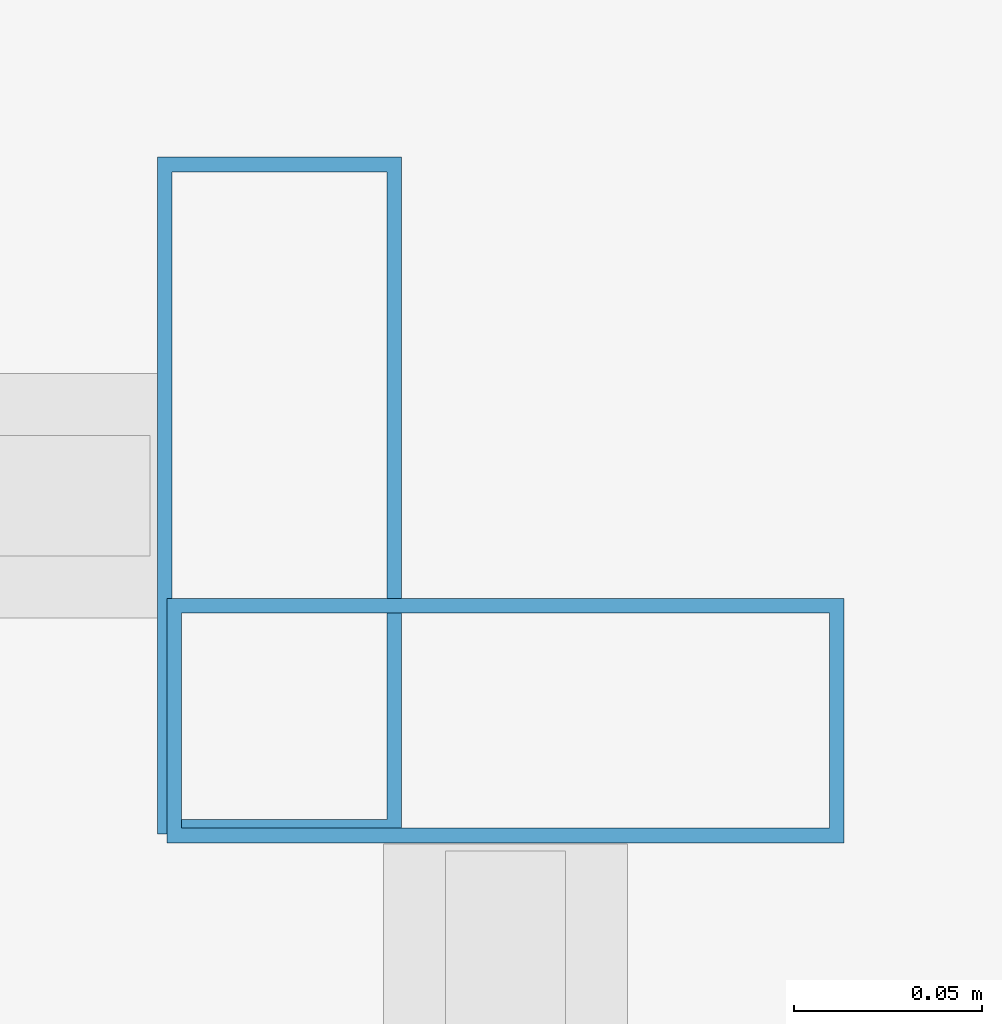
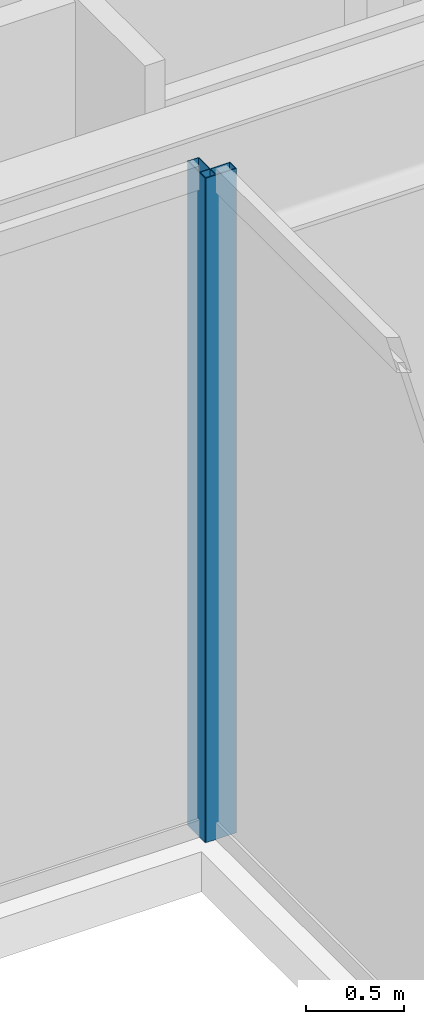
# One storey, part 14 of 37: 2 members, 2 elements without a shape of their own.
"""IFC4 building model written with IfcOpenShell, lengths in metres."""

from ifc_helpers import new_model, si_unit, direction, frame, origin, origin_2d, place, context, subcontext, project, spatial, hollow_rectangle, extrude, material, material_profile, profile_set, type_object, element, aggregate, save


model = new_model("IFC4")

# Units and contexts
model_context = context("Model", 3, precision=1e-05, world=origin(), true_north=direction((0.0, 1.0)))
body_context = subcontext(model_context, "Body", "Model", "MODEL_VIEW")
ifc_project = project(units=[si_unit("LENGTHUNIT", "METRE"), si_unit("AREAUNIT", "SQUARE_METRE"), si_unit("VOLUMEUNIT", "CUBIC_METRE"), si_unit("PLANEANGLEUNIT", "RADIAN"), si_unit("MASSUNIT", "GRAM", prefix="KILO")], contexts=[model_context])

# Site, building, storey
site_placement = place(None, origin())
site = spatial("IfcSite", under=ifc_project, at=site_placement, CompositionType="ELEMENT")
building_placement = place(site_placement, origin())
building = spatial("IfcBuilding", under=site, at=building_placement, Name="Saevonmaru Cultural Tower", CompositionType="ELEMENT")
storey_placement = place(building_placement, frame((0.0, 0.0, 106.0)))
storey = spatial("IfcBuildingStorey", under=building, at=storey_placement, Name="L22", CompositionType="ELEMENT", Elevation=106.0)

# Curtain wall, member
ifc_material = material(Name="Satin Bronze Anodised Aluminium", Category="aluminium")
curtain_wall_type = type_object("IfcCurtainWallType", Name="CW-ATR-GLZ", PredefinedType="NOTDEFINED", material=ifc_material)
curtain_wall_1_placement = place(storey_placement, origin())
curtain_wall_1 = element("IfcCurtainWall", 1, at=curtain_wall_1_placement, inside=storey, type_object=curtain_wall_type, Name="L22 Vertical Atrium Glazed Smoke Screen 2", PredefinedType="NOTDEFINED")
ifc_material_profile = material_profile(ifc_material, hollow_rectangle(XDim=0.06494140625, YDim=0.179931640625, WallThickness=0.00390625, at=origin_2d()), Name="ALU-MULL-180x65x4")
ifc_profile_set = profile_set([ifc_material_profile], Name="Satin Bronze Anodised Aluminium")
member_type = type_object("IfcMemberType", Name="ML-CW-INT-180x65", PredefinedType="MULLION", material=ifc_profile_set)
member_1_placement = place(storey_placement, frame((35.949951171875, 37.610107421875, 0.0), z_axis=(0.0, 0.0, 1.0), x_axis=(0.0, 1.0, 0.0)))
member_1 = element("IfcMember", 2, at=member_1_placement, type_object=member_type, Name="CW-ATR-L22-2 mullion 3", PredefinedType="MULLION", context=body_context, shape_type="SweptSolid", body=[
    extrude(hollow_rectangle(XDim=0.06494140625, YDim=0.179931640625, WallThickness=0.00390625, at=origin_2d()), origin(), (0.0, 0.0, 1.0), 4.14990234375),
])
aggregate(curtain_wall_1, [member_1])

curtain_wall_2_placement = place(storey_placement, origin())
curtain_wall_2 = element("IfcCurtainWall", 3, at=curtain_wall_2_placement, inside=storey, type_object=curtain_wall_type, Name="L22 Vertical Atrium Glazed Smoke Screen 3", PredefinedType="NOTDEFINED")
member_2_placement = place(storey_placement, frame((35.889892578125, 37.669921875, 0.0), z_axis=(0.0, 0.0, 1.0), x_axis=(-1.0, 0.0, 0.0)))
member_2 = element("IfcMember", 4, at=member_2_placement, type_object=member_type, Name="CW-ATR-L22-3 mullion 1", PredefinedType="MULLION", context=body_context, shape_type="SweptSolid", body=[
    extrude(hollow_rectangle(XDim=0.06494140625, YDim=0.179931640625, WallThickness=0.00390625, at=origin_2d()), origin(), (0.0, 0.0, 1.0), 4.14990234375),
])
aggregate(curtain_wall_2, [member_2])

save(model, "model.ifc")
